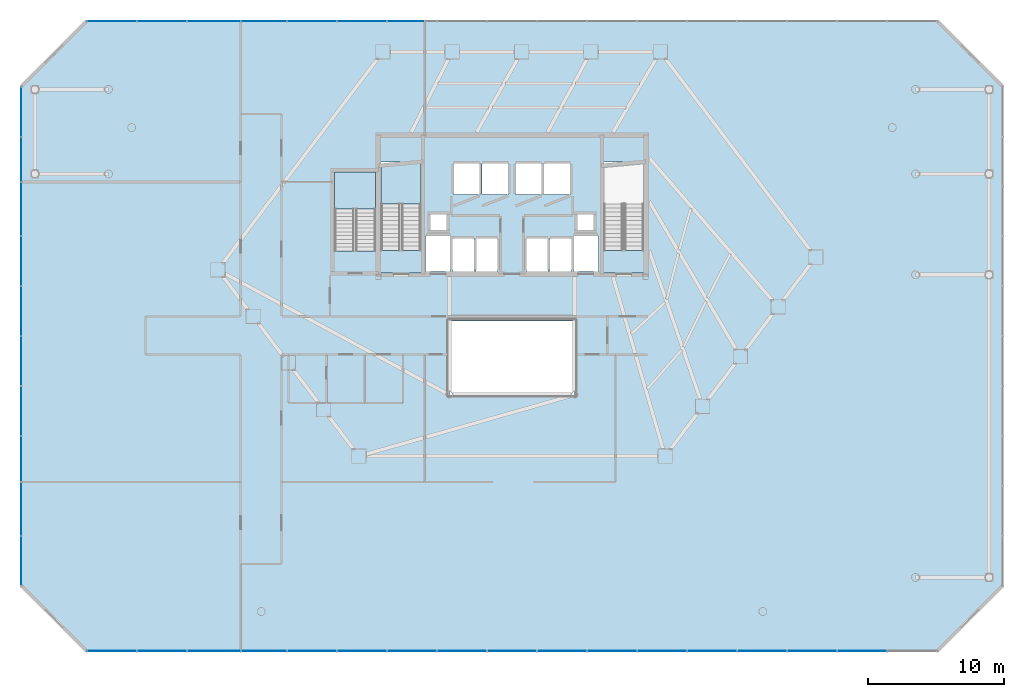
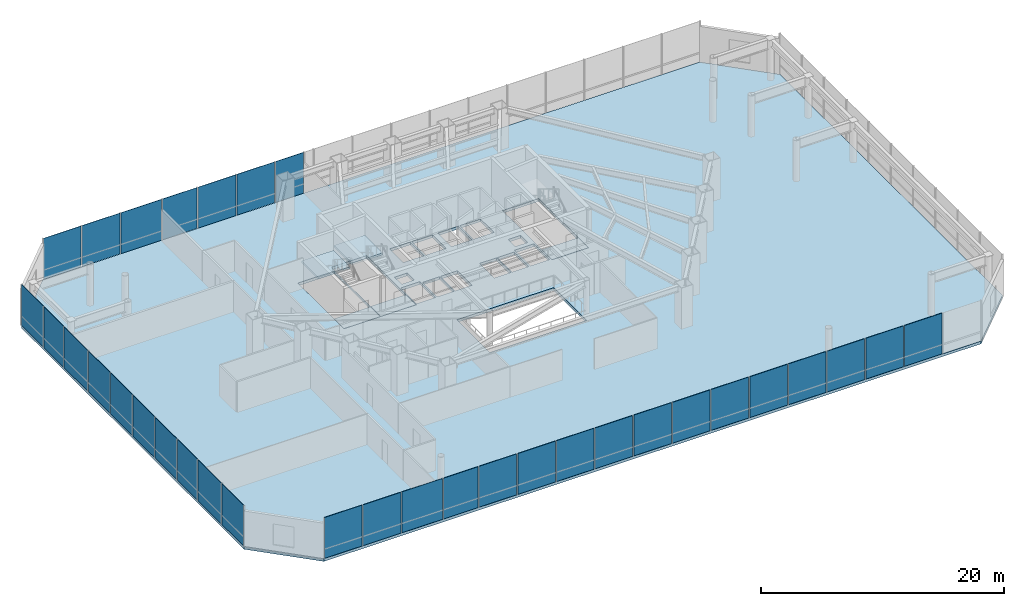
# One storey, part 32 of 37: 33 plates, 6 slabs, 5 elements without a shape of their own.
"""IFC4 building model written with IfcOpenShell, lengths in metres."""

import ifcopenshell
import ifcopenshell.guid

model = None  # the IFC model being written
_history = None  # IfcOwnerHistory: only IFC2X3 demands one
_inside = {}  # id of a spatial element -> (the spatial element, [elements in it])
_under = {}  # id of a project, library or spatial element -> (it, [spatial elements below it])
_declared = {}  # id of a project -> (the project, [libraries it declares])
_typed = {}  # id of a type object -> (the type object, [elements of that type])
_made_of = {}  # id of a material, layer set ... -> (it, [elements and type objects made of it])


def new_model(schema):
    """Start an empty IFC model of exactly this schema.

    Asked for "IFC4X3", IfcOpenShell would pick the latest addendum, in which some entities
    have other attributes; the version numbers below select the first issue.
    IFC2X3 requires an IfcOwnerHistory on every rooted entity: one is made here for all.
    """
    global model, _history
    if schema == "IFC4X3":
        model = ifcopenshell.file(schema_version=(4, 3, 0, 0))
    else:
        model = ifcopenshell.file(schema=schema)
    _inside.clear()
    _under.clear()
    _declared.clear()
    _typed.clear()
    _made_of.clear()
    _history = None
    if model.schema == "IFC2X3":
        org = make("IfcOrganization", Name="unknown")
        user = make(
            "IfcPersonAndOrganization",
            ThePerson=make("IfcPerson", FamilyName="unknown"),
            TheOrganization=org,
        )
        app = make(
            "IfcApplication",
            ApplicationDeveloper=org,
            Version="unknown",
            ApplicationFullName="unknown",
            ApplicationIdentifier="unknown",
        )
        _history = make(
            "IfcOwnerHistory",
            OwningUser=user,
            OwningApplication=app,
            ChangeAction="ADDED",
            CreationDate=0,
        )
    return model


def make(cls, **values):
    """One entity of the class cls with the attributes given. An attribute that is None is left unset."""
    return model.create_entity(
        cls, **{name: value for name, value in values.items() if value is not None}
    )


def rooted(cls, **values):
    """An entity with a GlobalId (a new one), such as an element, a storey or a relation."""
    return make(cls, GlobalId=ifcopenshell.guid.new(), OwnerHistory=_history, **values)


def si_unit(unit_type, name, prefix=None):
    """IfcSIUnit, for example si_unit("LENGTHUNIT", "METRE", prefix="MILLI")."""
    return make("IfcSIUnit", UnitType=unit_type, Prefix=prefix, Name=name)


def assignment(units):
    """IfcUnitAssignment: the units of a project."""
    return None if units is None else make("IfcUnitAssignment", Units=units)


def point(xyz):
    """IfcCartesianPoint."""
    return None if xyz is None else make("IfcCartesianPoint", Coordinates=xyz)


def direction(xyz):
    """IfcDirection."""
    return None if xyz is None else make("IfcDirection", DirectionRatios=xyz)


def frame(location, z_axis=None, x_axis=None):
    """IfcAxis2Placement3D, a coordinate frame: its origin and axes. An axis left out is left unset."""
    return make(
        "IfcAxis2Placement3D",
        Location=point(location),
        Axis=direction(z_axis),
        RefDirection=direction(x_axis),
    )


def frame_2d(location, x_axis=None):
    """IfcAxis2Placement2D, a coordinate frame in the plane: its origin and x axis."""
    return make(
        "IfcAxis2Placement2D", Location=point(location), RefDirection=direction(x_axis)
    )


def origin():
    """The frame at (0, 0, 0) with its axes left unset."""
    return frame((0.0, 0.0, 0.0))


def origin_2d():
    """The frame at (0, 0) in the plane with its x axis left unset."""
    return frame_2d((0.0, 0.0))


def place(relative_to, where):
    """IfcLocalPlacement: puts the frame where relative to a parent placement (None: the world)."""
    return make(
        "IfcLocalPlacement", PlacementRelTo=relative_to, RelativePlacement=where
    )


def context(
    kind, dimensions, precision=None, world=None, true_north=None, identifier=None
):
    """IfcGeometricRepresentationContext, for example the 3D "Model" context."""
    return make(
        "IfcGeometricRepresentationContext",
        ContextIdentifier=identifier,
        ContextType=kind,
        CoordinateSpaceDimension=dimensions,
        Precision=precision,
        WorldCoordinateSystem=world,
        TrueNorth=true_north,
    )


def subcontext(parent, identifier, kind, view, scale=None):
    """IfcGeometricRepresentationSubContext, for example "Body" below "Model"."""
    return make(
        "IfcGeometricRepresentationSubContext",
        ContextIdentifier=identifier,
        ContextType=kind,
        ParentContext=parent,
        TargetScale=scale,
        TargetView=view,
    )


def project(units=None, contexts=None):
    """IfcProject with its units and contexts."""
    return rooted(
        "IfcProject",
        Name="project",
        RepresentationContexts=contexts,
        UnitsInContext=assignment(units),
    )


def spatial(cls, under=None, at=None, **own):
    """A site, building, storey or space (cls), placed at a placement, below another one or the project."""
    s = rooted(cls, ObjectPlacement=at, **own)
    if under is not None:
        _under.setdefault(under.id(), (under, []))[1].append(s)
    return s


def polyline(points):
    """IfcPolyline through the points."""
    return make("IfcPolyline", Points=[point(p) for p in points])


def profile(cls, at=None, kind="AREA", **sizes):
    """A parametric profile (cls). Its sizes go by their IFC names, for example OverallWidth=200.0."""
    return make(cls, ProfileType=kind, Position=at, **sizes)


def rectangle(**sizes):
    """IfcRectangleProfileDef."""
    return profile("IfcRectangleProfileDef", **sizes)


def outline(outer, holes=None, kind="AREA"):
    """IfcArbitraryClosedProfileDef: a profile drawn as a closed curve; with holes, ...WithVoids."""
    if holes is None:
        return make("IfcArbitraryClosedProfileDef", ProfileType=kind, OuterCurve=outer)
    return make(
        "IfcArbitraryProfileDefWithVoids",
        ProfileType=kind,
        OuterCurve=outer,
        InnerCurves=holes,
    )


def extrude(swept, where, along, depth):
    """IfcExtrudedAreaSolid: the profile swept, set in the frame where, extruded along a direction by depth."""
    return make(
        "IfcExtrudedAreaSolid",
        SweptArea=swept,
        Position=where,
        ExtrudedDirection=direction(along),
        Depth=depth,
    )


def shape(context_of_items, identifier, shape_type, items):
    """IfcShapeRepresentation: the items that make up one representation, for example the "Body"."""
    return make(
        "IfcShapeRepresentation",
        ContextOfItems=context_of_items,
        RepresentationIdentifier=identifier,
        RepresentationType=shape_type,
        Items=items,
    )


def material(Name=None, Category=None):
    """IfcMaterial."""
    return make("IfcMaterial", Name=Name, Category=Category)


def layer(
    of_material, thickness, ventilated=None, Name=None, Category=None, Priority=None
):
    """IfcMaterialLayer: one layer of a wall or slab, of a material (None: an air gap)."""
    return make(
        "IfcMaterialLayer",
        Material=of_material,
        LayerThickness=thickness,
        IsVentilated=ventilated,
        Name=Name,
        Category=Category,
        Priority=Priority,
    )


def layer_set(layers, Name=None):
    """IfcMaterialLayerSet."""
    return make("IfcMaterialLayerSet", MaterialLayers=layers, LayerSetName=Name)


def made_of(thing, what):
    """Note that an element or type object is made of a material, layer set ...; save() writes the relation."""
    if what is not None:
        _made_of.setdefault(what.id(), (what, []))[1].append(thing)
    return thing


def type_object(cls, material=None, **own):
    """A type object (cls), such as IfcWallType, which elements share."""
    return made_of(rooted(cls, **own), material)


def element(
    cls,
    number,
    at=None,
    inside=None,
    cuts=None,
    type_object=None,
    material=None,
    context=None,
    identifier="Body",
    shape_type=None,
    held_by="IfcProductDefinitionShape",
    body=None,
    shapes=None,
    **own,
):
    """One element of the class cls, such as IfcWall. Its Tag is "e" and its number.

    at: its placement. inside: the storey or other place that contains it. cuts: it is an
    opening in that element (IfcRelVoidsElement). A single representation is given by context,
    identifier, shape_type and body (its items); several are given by shapes. held_by: the class
    of the entity that holds the representations. save() writes the other relations.
    """
    e = rooted(cls, Tag="e%d" % number, ObjectPlacement=at, **own)
    if body is not None:
        shapes = [shape(context, identifier, shape_type, body)]
    if shapes is not None:
        e.Representation = make(held_by, Representations=shapes)
    if inside is not None:
        _inside.setdefault(inside.id(), (inside, []))[1].append(e)
    if cuts is not None:
        rooted(
            "IfcRelVoidsElement", RelatingBuildingElement=cuts, RelatedOpeningElement=e
        )
    if type_object is not None:
        _typed.setdefault(type_object.id(), (type_object, []))[1].append(e)
    return made_of(e, material)


def aggregate(whole, parts):
    """IfcRelAggregates: a whole, such as a stair, and the parts it consists of."""
    return rooted("IfcRelAggregates", RelatingObject=whole, RelatedObjects=parts)


def save(model, path):
    """Write the relations noted so far, then the file.

    IfcRelAggregates (storeys below a building ...), IfcRelContainedInSpatialStructure (elements
    in a storey), IfcRelDefinesByType, IfcRelAssociatesMaterial and IfcRelDeclares: one each for
    every whole, place, type object, material and project.
    """
    for whole, parts in _under.values():
        aggregate(whole, parts)
    for where, things in _inside.values():
        rooted(
            "IfcRelContainedInSpatialStructure",
            RelatedElements=things,
            RelatingStructure=where,
        )
    for kind, things in _typed.values():
        rooted("IfcRelDefinesByType", RelatedObjects=things, RelatingType=kind)
    for what, things in _made_of.values():
        rooted("IfcRelAssociatesMaterial", RelatedObjects=things, RelatingMaterial=what)
    for by, libraries in _declared.values():
        rooted("IfcRelDeclares", RelatingContext=by, RelatedDefinitions=libraries)
    model.write(path)


model = new_model("IFC4")

# Units and contexts
model_context = context("Model", 3, precision=1e-05, world=origin(), true_north=direction((0.0, 1.0)))
body_context = subcontext(model_context, "Body", "Model", "MODEL_VIEW")
ifc_project = project(units=[si_unit("LENGTHUNIT", "METRE"), si_unit("AREAUNIT", "SQUARE_METRE"), si_unit("VOLUMEUNIT", "CUBIC_METRE"), si_unit("PLANEANGLEUNIT", "RADIAN"), si_unit("MASSUNIT", "GRAM", prefix="KILO")], contexts=[model_context])

# Site, building, storey
site_placement = place(None, origin())
site = spatial("IfcSite", under=ifc_project, at=site_placement, CompositionType="ELEMENT")
building_placement = place(site_placement, origin())
building = spatial("IfcBuilding", under=site, at=building_placement, Name="Zarrinselat Tower", CompositionType="ELEMENT")
storey_placement = place(building_placement, frame((0.0, 0.0, 13.93994140625)))
storey = spatial("IfcBuildingStorey", under=building, at=storey_placement, Name="L03", CompositionType="ELEMENT", Elevation=13.93994140625)

# Curtain wall, plates
ifc_material_1 = material(Name="Extruded Aluminium Alloy EN AW-6063 T6", Category="aluminium")
ifc_layer_1 = layer(ifc_material_1, 0.2099609375)
ifc_layer_set_1 = layer_set([ifc_layer_1], Name="Extruded Aluminium Alloy EN AW-6063 T6")
curtain_wall_type = type_object("IfcCurtainWallType", Name="CWS-POD", PredefinedType="NOTDEFINED", material=ifc_layer_set_1)
curtain_wall_1_placement = place(storey_placement, origin())
curtain_wall_1 = element("IfcCurtainWall", 1, at=curtain_wall_1_placement, inside=storey, type_object=curtain_wall_type, Name="L03 Unitised Curtain Wall CW-L03-F1", PredefinedType="NOTDEFINED")
ifc_material_2 = material(Name="Double Low-E Laminated Solar Glass", Category="glass")
ifc_layer_2 = layer(ifc_material_2, 0.035888671875)
ifc_layer_set_2 = layer_set([ifc_layer_2], Name="Double Low-E Laminated Solar Glass")
plate_type = type_object("IfcPlateType", Name="PLT-CW-GL36", PredefinedType="CURTAIN_PANEL", material=ifc_layer_set_2)
plate_1_placement = place(storey_placement, frame((9.035400390625, 5.60009765625, 0.02001953125), z_axis=(0.0, 0.0, 1.0), x_axis=(1.0, 0.0, 0.0)))
plate_1 = element("IfcPlate", 2, at=plate_1_placement, type_object=plate_type, Name="CW-L03-F1 Vision Glass Panel 1", PredefinedType="CURTAIN_PANEL", context=body_context, shape_type="SweptSolid", body=[
    extrude(rectangle(XDim=3.570556640625, YDim=0.035888671875, at=origin_2d()), origin(), (0.0, 0.0, 1.0), 4.10009765625),
])
plate_2_placement = place(storey_placement, frame((12.705810546875, 5.60009765625, 0.02001953125), z_axis=(0.0, 0.0, 1.0), x_axis=(1.0, 0.0, 0.0)))
plate_2 = element("IfcPlate", 3, at=plate_2_placement, type_object=plate_type, Name="CW-L03-F1 Vision Glass Panel 2", PredefinedType="CURTAIN_PANEL", context=body_context, shape_type="SweptSolid", body=[
    extrude(rectangle(XDim=3.570556640625, YDim=0.035888671875, at=origin_2d()), origin(), (0.0, 0.0, 1.0), 4.10009765625),
])
plate_3_placement = place(storey_placement, frame((16.5205078125, 5.60009765625, 0.02001953125), z_axis=(0.0, 0.0, 1.0), x_axis=(1.0, 0.0, 0.0)))
plate_3 = element("IfcPlate", 4, at=plate_3_placement, type_object=plate_type, Name="CW-L03-F1 Vision Glass Panel 3", PredefinedType="CURTAIN_PANEL", context=body_context, shape_type="SweptSolid", body=[
    extrude(rectangle(XDim=3.85888671875, YDim=0.035888671875, at=origin_2d()), origin(), (0.0, 0.0, 1.0), 4.10009765625),
])
plate_4_placement = place(storey_placement, frame((20.191162109375, 5.60009765625, 0.02001953125), z_axis=(0.0, 0.0, 1.0), x_axis=(1.0, 0.0, 0.0)))
plate_4 = element("IfcPlate", 5, at=plate_4_placement, type_object=plate_type, Name="CW-L03-F1 Vision Glass Panel 4", PredefinedType="CURTAIN_PANEL", context=body_context, shape_type="SweptSolid", body=[
    extrude(rectangle(XDim=3.282470703125, YDim=0.035888671875, at=origin_2d()), origin(), (0.0, 0.0, 1.0), 4.10009765625),
])
plate_5_placement = place(storey_placement, frame((23.717529296875, 5.60009765625, 0.02001953125), z_axis=(0.0, 0.0, 1.0), x_axis=(1.0, 0.0, 0.0)))
plate_5 = element("IfcPlate", 6, at=plate_5_placement, type_object=plate_type, Name="CW-L03-F1 Vision Glass Panel 5", PredefinedType="CURTAIN_PANEL", context=body_context, shape_type="SweptSolid", body=[
    extrude(rectangle(XDim=3.570556640625, YDim=0.035888671875, at=origin_2d()), origin(), (0.0, 0.0, 1.0), 4.10009765625),
])
plate_6_placement = place(storey_placement, frame((27.38818359375, 5.60009765625, 0.02001953125), z_axis=(0.0, 0.0, 1.0), x_axis=(1.0, 0.0, 0.0)))
plate_6 = element("IfcPlate", 7, at=plate_6_placement, type_object=plate_type, Name="CW-L03-F1 Vision Glass Panel 6", PredefinedType="CURTAIN_PANEL", context=body_context, shape_type="SweptSolid", body=[
    extrude(rectangle(XDim=3.570556640625, YDim=0.035888671875, at=origin_2d()), origin(), (0.0, 0.0, 1.0), 4.10009765625),
])
plate_7_placement = place(storey_placement, frame((31.058837890625, 5.60009765625, 0.02001953125), z_axis=(0.0, 0.0, 1.0), x_axis=(1.0, 0.0, 0.0)))
plate_7 = element("IfcPlate", 8, at=plate_7_placement, type_object=plate_type, Name="CW-L03-F1 Vision Glass Panel 7", PredefinedType="CURTAIN_PANEL", context=body_context, shape_type="SweptSolid", body=[
    extrude(rectangle(XDim=3.570556640625, YDim=0.035888671875, at=origin_2d()), origin(), (0.0, 0.0, 1.0), 4.10009765625),
])
plate_8_placement = place(storey_placement, frame((34.7294921875, 5.60009765625, 0.02001953125), z_axis=(0.0, 0.0, 1.0), x_axis=(1.0, 0.0, 0.0)))
plate_8 = element("IfcPlate", 9, at=plate_8_placement, type_object=plate_type, Name="CW-L03-F1 Vision Glass Panel 8", PredefinedType="CURTAIN_PANEL", context=body_context, shape_type="SweptSolid", body=[
    extrude(rectangle(XDim=3.570556640625, YDim=0.035888671875, at=origin_2d()), origin(), (0.0, 0.0, 1.0), 4.10009765625),
])
plate_9_placement = place(storey_placement, frame((38.39990234375, 5.60009765625, 0.02001953125), z_axis=(0.0, 0.0, 1.0), x_axis=(1.0, 0.0, 0.0)))
plate_9 = element("IfcPlate", 10, at=plate_9_placement, type_object=plate_type, Name="CW-L03-F1 Vision Glass Panel 9", PredefinedType="CURTAIN_PANEL", context=body_context, shape_type="SweptSolid", body=[
    extrude(rectangle(XDim=3.570556640625, YDim=0.035888671875, at=origin_2d()), origin(), (0.0, 0.0, 1.0), 4.10009765625),
])
plate_10_placement = place(storey_placement, frame((42.070556640625, 5.60009765625, 0.02001953125), z_axis=(0.0, 0.0, 1.0), x_axis=(1.0, 0.0, 0.0)))
plate_10 = element("IfcPlate", 11, at=plate_10_placement, type_object=plate_type, Name="CW-L03-F1 Vision Glass Panel 10", PredefinedType="CURTAIN_PANEL", context=body_context, shape_type="SweptSolid", body=[
    extrude(rectangle(XDim=3.570556640625, YDim=0.035888671875, at=origin_2d()), origin(), (0.0, 0.0, 1.0), 4.10009765625),
])
plate_11_placement = place(storey_placement, frame((45.7412109375, 5.60009765625, 0.02001953125), z_axis=(0.0, 0.0, 1.0), x_axis=(1.0, 0.0, 0.0)))
plate_11 = element("IfcPlate", 12, at=plate_11_placement, type_object=plate_type, Name="CW-L03-F1 Vision Glass Panel 11", PredefinedType="CURTAIN_PANEL", context=body_context, shape_type="SweptSolid", body=[
    extrude(rectangle(XDim=3.570556640625, YDim=0.035888671875, at=origin_2d()), origin(), (0.0, 0.0, 1.0), 4.10009765625),
])
plate_12_placement = place(storey_placement, frame((49.411865234375, 5.60009765625, 0.02001953125), z_axis=(0.0, 0.0, 1.0), x_axis=(1.0, 0.0, 0.0)))
plate_12 = element("IfcPlate", 13, at=plate_12_placement, type_object=plate_type, Name="CW-L03-F1 Vision Glass Panel 12", PredefinedType="CURTAIN_PANEL", context=body_context, shape_type="SweptSolid", body=[
    extrude(rectangle(XDim=3.570556640625, YDim=0.035888671875, at=origin_2d()), origin(), (0.0, 0.0, 1.0), 4.10009765625),
])
plate_13_placement = place(storey_placement, frame((53.08251953125, 5.60009765625, 0.02001953125), z_axis=(0.0, 0.0, 1.0), x_axis=(1.0, 0.0, 0.0)))
plate_13 = element("IfcPlate", 14, at=plate_13_placement, type_object=plate_type, Name="CW-L03-F1 Vision Glass Panel 13", PredefinedType="CURTAIN_PANEL", context=body_context, shape_type="SweptSolid", body=[
    extrude(rectangle(XDim=3.570556640625, YDim=0.035888671875, at=origin_2d()), origin(), (0.0, 0.0, 1.0), 4.10009765625),
])
plate_14_placement = place(storey_placement, frame((56.7529296875, 5.60009765625, 0.02001953125), z_axis=(0.0, 0.0, 1.0), x_axis=(1.0, 0.0, 0.0)))
plate_14 = element("IfcPlate", 15, at=plate_14_placement, type_object=plate_type, Name="CW-L03-F1 Vision Glass Panel 14", PredefinedType="CURTAIN_PANEL", context=body_context, shape_type="SweptSolid", body=[
    extrude(rectangle(XDim=3.570556640625, YDim=0.035888671875, at=origin_2d()), origin(), (0.0, 0.0, 1.0), 4.10009765625),
])
plate_15_placement = place(storey_placement, frame((60.423583984375, 5.60009765625, 0.02001953125), z_axis=(0.0, 0.0, 1.0), x_axis=(1.0, 0.0, 0.0)))
plate_15 = element("IfcPlate", 16, at=plate_15_placement, type_object=plate_type, Name="CW-L03-F1 Vision Glass Panel 15", PredefinedType="CURTAIN_PANEL", context=body_context, shape_type="SweptSolid", body=[
    extrude(rectangle(XDim=3.570556640625, YDim=0.035888671875, at=origin_2d()), origin(), (0.0, 0.0, 1.0), 4.10009765625),
])
plate_16_placement = place(storey_placement, frame((64.093994140625, 5.60009765625, 0.02001953125), z_axis=(0.0, 0.0, 1.0), x_axis=(1.0, 0.0, 0.0)))
plate_16 = element("IfcPlate", 17, at=plate_16_placement, type_object=plate_type, Name="CW-L03-F1 Vision Glass Panel 16", PredefinedType="CURTAIN_PANEL", context=body_context, shape_type="SweptSolid", body=[
    extrude(rectangle(XDim=3.570556640625, YDim=0.035888671875, at=origin_2d()), origin(), (0.0, 0.0, 1.0), 4.10009765625),
])
aggregate(curtain_wall_1, [plate_1, plate_2, plate_3, plate_4, plate_5, plate_6, plate_7, plate_8, plate_9, plate_10, plate_11, plate_12, plate_13, plate_14, plate_15, plate_16])

curtain_wall_2_placement = place(storey_placement, origin())
curtain_wall_2 = element("IfcCurtainWall", 18, at=curtain_wall_2_placement, inside=storey, type_object=curtain_wall_type, Name="L03 Unitised Curtain Wall CW-L03-F5", PredefinedType="NOTDEFINED")
plate_17_placement = place(storey_placement, frame((30.61181640625, 51.800048828125, 0.02001953125), z_axis=(0.0, 0.0, 1.0), x_axis=(-1.0, 0.0, 0.0)))
plate_17 = element("IfcPlate", 19, at=plate_17_placement, type_object=plate_type, Name="CW-L03-F5 Vision Glass Panel 12", PredefinedType="CURTAIN_PANEL", context=body_context, shape_type="SweptSolid", body=[
    extrude(rectangle(XDim=2.676513671875, YDim=0.035888671875, at=origin_2d()), origin(), (0.0, 0.0, 1.0), 4.10009765625),
])
plate_18_placement = place(storey_placement, frame((27.38818359375, 51.800048828125, 0.02001953125), z_axis=(0.0, 0.0, 1.0), x_axis=(-1.0, 0.0, 0.0)))
plate_18 = element("IfcPlate", 20, at=plate_18_placement, type_object=plate_type, Name="CW-L03-F5 Vision Glass Panel 13", PredefinedType="CURTAIN_PANEL", context=body_context, shape_type="SweptSolid", body=[
    extrude(rectangle(XDim=3.570556640625, YDim=0.035888671875, at=origin_2d()), origin(), (0.0, 0.0, 1.0), 4.10009765625),
])
plate_19_placement = place(storey_placement, frame((23.717529296875, 51.800048828125, 0.02001953125), z_axis=(0.0, 0.0, 1.0), x_axis=(-1.0, 0.0, 0.0)))
plate_19 = element("IfcPlate", 21, at=plate_19_placement, type_object=plate_type, Name="CW-L03-F5 Vision Glass Panel 14", PredefinedType="CURTAIN_PANEL", context=body_context, shape_type="SweptSolid", body=[
    extrude(rectangle(XDim=3.570556640625, YDim=0.035888671875, at=origin_2d()), origin(), (0.0, 0.0, 1.0), 4.10009765625),
])
plate_20_placement = place(storey_placement, frame((20.191162109375, 51.800048828125, 0.02001953125), z_axis=(0.0, 0.0, 1.0), x_axis=(-1.0, 0.0, 0.0)))
plate_20 = element("IfcPlate", 22, at=plate_20_placement, type_object=plate_type, Name="CW-L03-F5 Vision Glass Panel 15", PredefinedType="CURTAIN_PANEL", context=body_context, shape_type="SweptSolid", body=[
    extrude(rectangle(XDim=3.282470703125, YDim=0.035888671875, at=origin_2d()), origin(), (0.0, 0.0, 1.0), 4.10009765625),
])
plate_21_placement = place(storey_placement, frame((16.5205078125, 51.800048828125, 0.02001953125), z_axis=(0.0, 0.0, 1.0), x_axis=(-1.0, 0.0, 0.0)))
plate_21 = element("IfcPlate", 23, at=plate_21_placement, type_object=plate_type, Name="CW-L03-F5 Vision Glass Panel 16", PredefinedType="CURTAIN_PANEL", context=body_context, shape_type="SweptSolid", body=[
    extrude(rectangle(XDim=3.85888671875, YDim=0.035888671875, at=origin_2d()), origin(), (0.0, 0.0, 1.0), 4.10009765625),
])
plate_22_placement = place(storey_placement, frame((12.705810546875, 51.800048828125, 0.02001953125), z_axis=(0.0, 0.0, 1.0), x_axis=(-1.0, 0.0, 0.0)))
plate_22 = element("IfcPlate", 24, at=plate_22_placement, type_object=plate_type, Name="CW-L03-F5 Vision Glass Panel 17", PredefinedType="CURTAIN_PANEL", context=body_context, shape_type="SweptSolid", body=[
    extrude(rectangle(XDim=3.570556640625, YDim=0.035888671875, at=origin_2d()), origin(), (0.0, 0.0, 1.0), 4.10009765625),
])
plate_23_placement = place(storey_placement, frame((9.035400390625, 51.800048828125, 0.02001953125), z_axis=(0.0, 0.0, 1.0), x_axis=(-1.0, 0.0, 0.0)))
plate_23 = element("IfcPlate", 25, at=plate_23_placement, type_object=plate_type, Name="CW-L03-F5 Vision Glass Panel 18", PredefinedType="CURTAIN_PANEL", context=body_context, shape_type="SweptSolid", body=[
    extrude(rectangle(XDim=3.570556640625, YDim=0.035888671875, at=origin_2d()), origin(), (0.0, 0.0, 1.0), 4.10009765625),
])
aggregate(curtain_wall_2, [plate_17, plate_18, plate_19, plate_20, plate_21, plate_22, plate_23])

curtain_wall_3_placement = place(storey_placement, origin())
curtain_wall_3 = element("IfcCurtainWall", 26, at=curtain_wall_3_placement, inside=storey, type_object=curtain_wall_type, Name="L03 Unitised Curtain Wall CW-L03-F7", PredefinedType="NOTDEFINED")
plate_24_placement = place(storey_placement, frame((2.39990234375, 45.169921875, 0.02001953125), z_axis=(0.0, 0.0, 1.0), x_axis=(0.0, -1.0, 0.0)))
plate_24 = element("IfcPlate", 27, at=plate_24_placement, type_object=plate_type, Name="CW-L03-F7 Vision Glass Panel 1", PredefinedType="CURTAIN_PANEL", context=body_context, shape_type="SweptSolid", body=[
    extrude(rectangle(XDim=3.56005859375, YDim=0.035888671875, at=origin_2d()), origin(), (0.0, 0.0, 1.0), 4.10009765625),
])
plate_25_placement = place(storey_placement, frame((2.39990234375, 41.669921875, 0.02001953125), z_axis=(0.0, 0.0, 1.0), x_axis=(0.0, -1.0, 0.0)))
plate_25 = element("IfcPlate", 28, at=plate_25_placement, type_object=plate_type, Name="CW-L03-F7 Vision Glass Panel 2", PredefinedType="CURTAIN_PANEL", context=body_context, shape_type="SweptSolid", body=[
    extrude(rectangle(XDim=3.239990234375, YDim=0.035888671875, at=origin_2d()), origin(), (0.0, 0.0, 1.0), 4.10009765625),
])
plate_26_placement = place(storey_placement, frame((2.39990234375, 38.010009765625, 0.02001953125), z_axis=(0.0, 0.0, 1.0), x_axis=(0.0, -1.0, 0.0)))
plate_26 = element("IfcPlate", 29, at=plate_26_placement, type_object=plate_type, Name="CW-L03-F7 Vision Glass Panel 3", PredefinedType="CURTAIN_PANEL", context=body_context, shape_type="SweptSolid", body=[
    extrude(rectangle(XDim=3.8798828125, YDim=0.035888671875, at=origin_2d()), origin(), (0.0, 0.0, 1.0), 4.10009765625),
])
plate_27_placement = place(storey_placement, frame((2.39990234375, 34.18994140625, 0.02001953125), z_axis=(0.0, 0.0, 1.0), x_axis=(0.0, -1.0, 0.0)))
plate_27 = element("IfcPlate", 30, at=plate_27_placement, type_object=plate_type, Name="CW-L03-F7 Vision Glass Panel 4", PredefinedType="CURTAIN_PANEL", context=body_context, shape_type="SweptSolid", body=[
    extrude(rectangle(XDim=3.56005859375, YDim=0.035888671875, at=origin_2d()), origin(), (0.0, 0.0, 1.0), 4.10009765625),
])
plate_28_placement = place(storey_placement, frame((2.39990234375, 30.530029296875, 0.02001953125), z_axis=(0.0, 0.0, 1.0), x_axis=(0.0, -1.0, 0.0)))
plate_28 = element("IfcPlate", 31, at=plate_28_placement, type_object=plate_type, Name="CW-L03-F7 Vision Glass Panel 5", PredefinedType="CURTAIN_PANEL", context=body_context, shape_type="SweptSolid", body=[
    extrude(rectangle(XDim=3.56005859375, YDim=0.035888671875, at=origin_2d()), origin(), (0.0, 0.0, 1.0), 4.10009765625),
])
plate_29_placement = place(storey_placement, frame((2.39990234375, 26.8701171875, 0.02001953125), z_axis=(0.0, 0.0, 1.0), x_axis=(0.0, -1.0, 0.0)))
plate_29 = element("IfcPlate", 32, at=plate_29_placement, type_object=plate_type, Name="CW-L03-F7 Vision Glass Panel 6", PredefinedType="CURTAIN_PANEL", context=body_context, shape_type="SweptSolid", body=[
    extrude(rectangle(XDim=3.56005859375, YDim=0.035888671875, at=origin_2d()), origin(), (0.0, 0.0, 1.0), 4.10009765625),
])
plate_30_placement = place(storey_placement, frame((2.39990234375, 23.2099609375, 0.02001953125), z_axis=(0.0, 0.0, 1.0), x_axis=(0.0, -1.0, 0.0)))
plate_30 = element("IfcPlate", 33, at=plate_30_placement, type_object=plate_type, Name="CW-L03-F7 Vision Glass Panel 7", PredefinedType="CURTAIN_PANEL", context=body_context, shape_type="SweptSolid", body=[
    extrude(rectangle(XDim=3.56005859375, YDim=0.035888671875, at=origin_2d()), origin(), (0.0, 0.0, 1.0), 4.10009765625),
])
plate_31_placement = place(storey_placement, frame((2.39990234375, 19.68994140625, 0.02001953125), z_axis=(0.0, 0.0, 1.0), x_axis=(0.0, -1.0, 0.0)))
plate_31 = element("IfcPlate", 34, at=plate_31_placement, type_object=plate_type, Name="CW-L03-F7 Vision Glass Panel 8", PredefinedType="CURTAIN_PANEL", context=body_context, shape_type="SweptSolid", body=[
    extrude(rectangle(XDim=3.280029296875, YDim=0.035888671875, at=origin_2d()), origin(), (0.0, 0.0, 1.0), 4.10009765625),
])
plate_32_placement = place(storey_placement, frame((2.39990234375, 16.030029296875, 0.02001953125), z_axis=(0.0, 0.0, 1.0), x_axis=(0.0, -1.0, 0.0)))
plate_32 = element("IfcPlate", 35, at=plate_32_placement, type_object=plate_type, Name="CW-L03-F7 Vision Glass Panel 9", PredefinedType="CURTAIN_PANEL", context=body_context, shape_type="SweptSolid", body=[
    extrude(rectangle(XDim=3.840087890625, YDim=0.035888671875, at=origin_2d()), origin(), (0.0, 0.0, 1.0), 4.10009765625),
])
plate_33_placement = place(storey_placement, frame((2.39990234375, 12.22998046875, 0.02001953125), z_axis=(0.0, 0.0, 1.0), x_axis=(0.0, -1.0, 0.0)))
plate_33 = element("IfcPlate", 36, at=plate_33_placement, type_object=plate_type, Name="CW-L03-F7 Vision Glass Panel 10", PredefinedType="CURTAIN_PANEL", context=body_context, shape_type="SweptSolid", body=[
    extrude(rectangle(XDim=3.56005859375, YDim=0.035888671875, at=origin_2d()), origin(), (0.0, 0.0, 1.0), 4.10009765625),
])
aggregate(curtain_wall_3, [plate_24, plate_25, plate_26, plate_27, plate_28, plate_29, plate_30, plate_31, plate_32, plate_33])

# Slabs
ifc_material_3 = material(Name="Concrete C40/50", Category="concrete")
ifc_layer_3 = layer(ifc_material_3, 0.280029296875)
ifc_layer_set_3 = layer_set([ifc_layer_3], Name="Concrete C40/50")
slab_type_1 = type_object("IfcSlabType", Name="SLB-FLOOR-280-SL-PD280", PredefinedType="FLOOR", material=ifc_layer_set_3)
slab_1_placement = place(storey_placement, frame((0.0, 0.0, -0.280029296875)))
element("IfcSlab", 37, at=slab_1_placement, inside=storey, type_object=slab_type_1, Name="L03 Primary Structural Slab", PredefinedType="FLOOR", context=body_context, shape_type="SweptSolid", body=[
    extrude(outline(polyline([(7.199951171875, 5.60009765625), (69.60009765625, 5.60009765625), (74.39990234375, 10.39990234375), (74.39990234375, 47.0), (69.60009765625, 51.800048828125), (7.199951171875, 51.800048828125), (2.39990234375, 47.0), (2.39990234375, 10.39990234375), (7.199951171875, 5.60009765625)]), holes=[polyline([(34.050048828125, 33.449951171875), (34.050048828125, 35.85009765625), (35.64990234375, 35.85009765625), (35.64990234375, 33.449951171875), (34.050048828125, 33.449951171875)]), polyline([(35.75, 33.449951171875), (35.75, 35.85009765625), (37.35009765625, 35.85009765625), (37.35009765625, 33.449951171875), (35.75, 33.449951171875)]), polyline([(32.06005859375, 33.449951171875), (32.06005859375, 36.050048828125), (33.89990234375, 36.050048828125), (33.89990234375, 33.449951171875), (32.06005859375, 33.449951171875)]), polyline([(32.419921875, 36.47998046875), (32.419921875, 37.639892578125), (33.60009765625, 37.639892578125), (33.60009765625, 36.47998046875), (32.419921875, 36.47998046875)]), polyline([(28.594970703125, 33.324951171875), (25.114990234375, 33.324951171875), (25.114990234375, 40.875), (28.594970703125, 40.875), (28.594970703125, 33.324951171875)]), polyline([(31.985107421875, 33.324951171875), (28.60498046875, 33.324951171875), (28.60498046875, 41.47509765625), (31.985107421875, 41.47509765625), (31.985107421875, 33.324951171875)]), polyline([(34.10009765625, 39.10009765625), (34.10009765625, 41.35009765625), (36.050048828125, 41.35009765625), (36.050048828125, 39.10009765625), (34.10009765625, 39.10009765625)]), polyline([(36.199951171875, 39.10009765625), (36.199951171875, 41.35009765625), (38.14990234375, 41.35009765625), (38.14990234375, 39.10009765625), (36.199951171875, 39.10009765625)]), polyline([(33.800048828125, 24.39990234375), (33.800048828125, 29.800048828125), (43.0, 29.800048828125), (43.0, 24.39990234375), (33.800048828125, 24.39990234375)]), polyline([(39.449951171875, 33.449951171875), (39.449951171875, 35.85009765625), (41.050048828125, 35.85009765625), (41.050048828125, 33.449951171875), (39.449951171875, 33.449951171875)]), polyline([(41.14990234375, 33.449951171875), (41.14990234375, 35.85009765625), (42.75, 35.85009765625), (42.75, 33.449951171875), (41.14990234375, 33.449951171875)]), polyline([(42.89990234375, 33.449951171875), (42.89990234375, 36.050048828125), (44.739990234375, 36.050048828125), (44.739990234375, 33.449951171875), (42.89990234375, 33.449951171875)]), polyline([(43.199951171875, 36.47998046875), (43.199951171875, 37.639892578125), (44.3798828125, 37.639892578125), (44.3798828125, 36.47998046875), (43.199951171875, 36.47998046875)]), polyline([(48.324951171875, 33.324951171875), (44.875, 33.324951171875), (44.875, 41.47509765625), (48.324951171875, 41.47509765625), (48.324951171875, 33.324951171875)]), polyline([(38.64990234375, 39.10009765625), (38.64990234375, 41.35009765625), (40.60009765625, 41.35009765625), (40.60009765625, 39.10009765625), (38.64990234375, 39.10009765625)]), polyline([(40.75, 39.10009765625), (40.75, 41.35009765625), (42.699951171875, 41.35009765625), (42.699951171875, 39.10009765625), (40.75, 39.10009765625)])]), origin(), (0.0, 0.0, 1.0), 0.280029296875),
])
slab_2_placement = place(storey_placement, frame((0.0, 0.0, -0.280029296875)))
element("IfcSlab", 38, at=slab_2_placement, inside=storey, type_object=slab_type_1, Name="L03 Stair ST-1-FL1 Structural Floor Landing", PredefinedType="FLOOR", context=body_context, shape_type="SweptSolid", body=[
    extrude(outline(polyline([(31.97998046875, 33.330078125), (31.97998046875, 35.0), (28.610107421875, 35.0), (28.610107421875, 33.330078125), (31.97998046875, 33.330078125)])), origin(), (0.0, 0.0, 1.0), 0.280029296875),
])
slab_3_placement = place(storey_placement, frame((0.0, 0.0, -0.280029296875)))
element("IfcSlab", 39, at=slab_3_placement, inside=storey, type_object=slab_type_1, Name="L03 Stair ST-2-FL1 Structural Floor Landing", PredefinedType="FLOOR", context=body_context, shape_type="SweptSolid", body=[
    extrude(outline(polyline([(48.320068359375, 33.330078125), (48.320068359375, 35.0), (44.8798828125, 35.0), (44.8798828125, 33.330078125), (48.320068359375, 33.330078125)])), origin(), (0.0, 0.0, 1.0), 0.280029296875),
])
slab_4_placement = place(storey_placement, frame((0.0, 0.0, -0.280029296875)))
element("IfcSlab", 40, at=slab_4_placement, inside=storey, type_object=slab_type_1, Name="L03 Stair ST-3-FL1 Structural Floor Landing", PredefinedType="FLOOR", context=body_context, shape_type="SweptSolid", body=[
    extrude(outline(polyline([(28.590087890625, 33.330078125), (28.590087890625, 34.949951171875), (25.1201171875, 34.949951171875), (25.1201171875, 33.330078125), (28.590087890625, 33.330078125)])), origin(), (0.0, 0.0, 1.0), 0.280029296875),
])

# Stair, slab
ifc_material_4 = material(Name="Concrete C40/50", Category="concrete")
stair_type_1 = type_object("IfcStairType", Name="STR-CORE-145", PredefinedType="HALF_TURN_STAIR", material=ifc_material_4)
stair_1_placement = place(storey_placement, origin())
stair_1 = element("IfcStair", 41, at=stair_1_placement, inside=storey, type_object=stair_type_1, Name="L03 Podium & Mid-Tower Exit Stair 3", PredefinedType="HALF_TURN_STAIR")
ifc_material_5 = material(Name="Concrete C40/50", Category="concrete")
ifc_layer_4 = layer(ifc_material_5, 0.1650390625)
ifc_layer_set_4 = layer_set([ifc_layer_4], Name="Concrete C40/50")
slab_type_2 = type_object("IfcSlabType", Name="SLB-LND-165", PredefinedType="LANDING", material=ifc_layer_set_4)
slab_5_placement = place(storey_placement, frame((0.0, 0.0, 2.010009765625)))
slab_5 = element("IfcSlab", 42, at=slab_5_placement, type_object=slab_type_2, Name="ST-3 landing 1", PredefinedType="LANDING", context=body_context, shape_type="SweptSolid", body=[
    extrude(outline(polyline([(28.39990234375, 38.030029296875), (28.39990234375, 40.75), (25.3798828125, 40.75), (25.3798828125, 38.030029296875), (28.39990234375, 38.030029296875)])), origin(), (0.0, 0.0, 1.0), 0.199951171875),
])
aggregate(stair_1, [slab_5])

ifc_material_6 = material(Name="Concrete C40/50", Category="concrete")
stair_type_2 = type_object("IfcStairType", Name="STR-CORE-155", PredefinedType="HALF_TURN_STAIR", material=ifc_material_6)
stair_2_placement = place(storey_placement, origin())
stair_2 = element("IfcStair", 43, at=stair_2_placement, inside=storey, type_object=stair_type_2, Name="L03 Core Exit Stair 1", PredefinedType="HALF_TURN_STAIR")
ifc_material_7 = material(Name="Concrete C40/50", Category="concrete")
ifc_layer_5 = layer(ifc_material_7, 0.18994140625)
ifc_layer_set_5 = layer_set([ifc_layer_5], Name="Concrete C40/50")
slab_type_3 = type_object("IfcSlabType", Name="SLB-LND-190", PredefinedType="LANDING", material=ifc_layer_set_5)
slab_6_placement = place(storey_placement, frame((0.0, 0.0, 2.010009765625)))
slab_6 = element("IfcSlab", 44, at=slab_6_placement, type_object=slab_type_3, Name="ST-1 landing 1", PredefinedType="LANDING", context=body_context, shape_type="SweptSolid", body=[
    extrude(outline(polyline([(31.719970703125, 38.409912109375), (31.719970703125, 41.35009765625), (28.800048828125, 41.35009765625), (28.800048828125, 38.409912109375), (31.719970703125, 38.409912109375)])), origin(), (0.0, 0.0, 1.0), 0.199951171875),
])
aggregate(stair_2, [slab_6])

save(model, "model.ifc")
